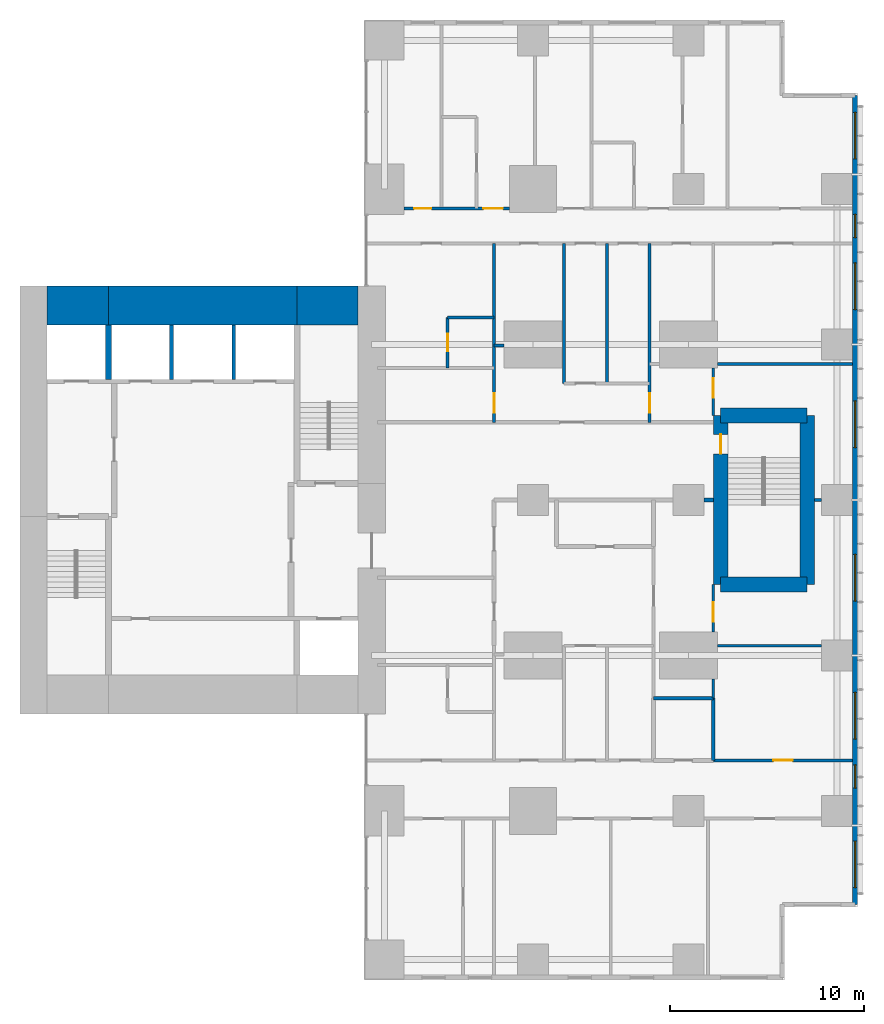
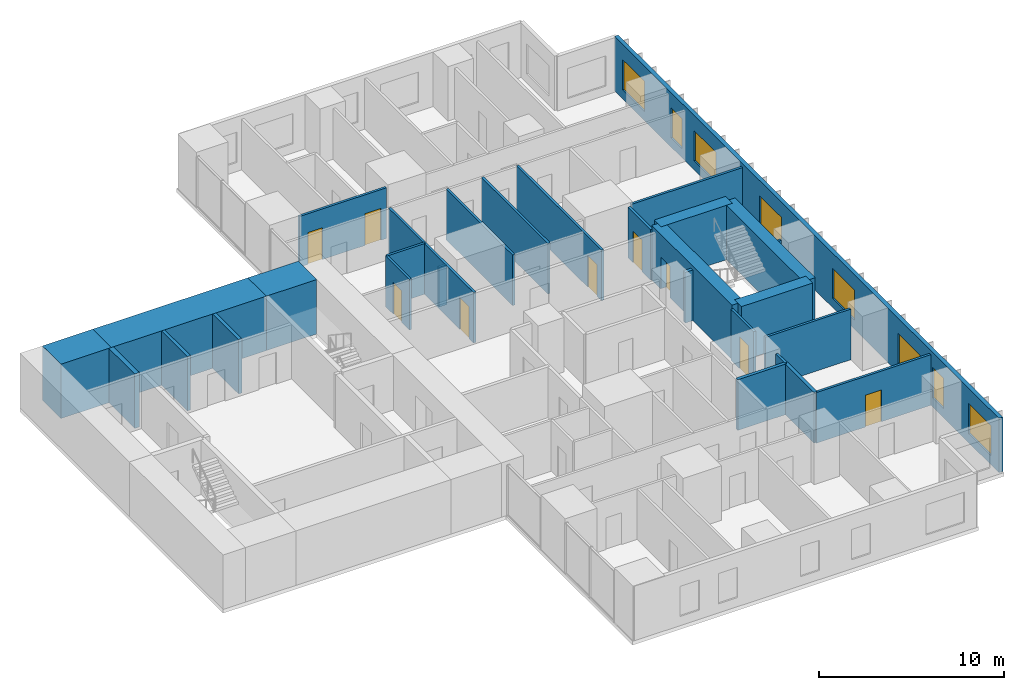
# One storey, part 9 of 12: 29 walls, 9 doors, 8 windows, 17 openings.
"""IFC4 building model written with IfcOpenShell, lengths in metres."""

from ifc_helpers import new_model, si_unit, direction, frame, frame_2d, origin, place, context, subcontext, project, spatial, rectangle, extrude, material, layer, layer_set, type_object, element, fill, save


model = new_model("IFC4")

# Units and contexts
model_context = context("Model", 3, precision=1e-05, world=origin(), true_north=direction((0.0, 1.0)))
body_context = subcontext(model_context, "Body", "Model", "MODEL_VIEW")
ifc_project = project(units=[si_unit("LENGTHUNIT", "METRE"), si_unit("AREAUNIT", "SQUARE_METRE"), si_unit("VOLUMEUNIT", "CUBIC_METRE"), si_unit("PLANEANGLEUNIT", "RADIAN"), si_unit("MASSUNIT", "GRAM", prefix="KILO")], contexts=[model_context])

# Site, building, storey
site_placement = place(None, origin())
site = spatial("IfcSite", under=ifc_project, at=site_placement, CompositionType="ELEMENT")
building_placement = place(site_placement, origin())
building = spatial("IfcBuilding", under=site, at=building_placement, Name="Cleftline Residences", CompositionType="ELEMENT")
storey_placement = place(building_placement, frame((0.0, 0.0, 266.39990234375)))
storey = spatial("IfcBuildingStorey", under=building, at=storey_placement, Name="L70", CompositionType="ELEMENT", Elevation=266.39990234375)

# Walls
ifc_material_1 = material(Name="Concrete B70", Category="concrete")
ifc_layer_1 = layer(ifc_material_1, 2.0)
ifc_layer_set_1 = layer_set([ifc_layer_1], Name="CORE WALL 2000")
wall_type_1 = type_object("IfcWallType", Name="CORE WALL 2000", PredefinedType="SHEAR", material=ifc_layer_set_1)
wall_1_placement = place(storey_placement, frame((25.0, 34.0, 0.0), z_axis=(0.0, 0.0, 1.0), x_axis=(1.0, 0.0, 0.0)))
element("IfcWall", 1, at=wall_1_placement, inside=storey, type_object=wall_type_1, Name="Core wall N1", PredefinedType="SHEAR", context=body_context, shape_type="SweptSolid", body=[
    extrude(rectangle(XDim=3.14990234375, YDim=2.0, at=frame_2d((1.574951171875, 0.0))), origin(), (0.0, 0.0, 1.0), 3.60009765625),
])
wall_2_placement = place(storey_placement, frame((28.14990234375, 34.0, 0.0), z_axis=(0.0, 0.0, 1.0), x_axis=(1.0, 0.0, 0.0)))
element("IfcWall", 2, at=wall_2_placement, inside=storey, type_object=wall_type_1, Name="Core wall N2", PredefinedType="SHEAR", context=body_context, shape_type="SweptSolid", body=[
    extrude(rectangle(XDim=9.7001953125, YDim=2.0, at=frame_2d((4.85009765625, 0.0))), origin(), (0.0, 0.0, 1.0), 3.60009765625),
])
wall_3_placement = place(storey_placement, frame((37.85009765625, 34.0, 0.0), z_axis=(0.0, 0.0, 1.0), x_axis=(1.0, 0.0, 0.0)))
element("IfcWall", 3, at=wall_3_placement, inside=storey, type_object=wall_type_1, Name="Core wall N3", PredefinedType="SHEAR", context=body_context, shape_type="SweptSolid", body=[
    extrude(rectangle(XDim=3.14990234375, YDim=2.0, at=frame_2d((1.574951171875, 0.0))), origin(), (0.0, 0.0, 1.0), 3.60009765625),
])
ifc_material_2 = material(Name="Concrete B70", Category="concrete")
ifc_layer_2 = layer(ifc_material_2, 0.300048828125)
ifc_layer_set_2 = layer_set([ifc_layer_2], Name="CORE WALL 300")
wall_type_2 = type_object("IfcWallType", Name="CORE WALL 300", PredefinedType="SHEAR", material=ifc_layer_set_2)
wall_4_placement = place(storey_placement, frame((28.14990234375, 30.199951171875, 0.0), z_axis=(0.0, 0.0, 1.0), x_axis=(0.0, 1.0, 0.0)))
element("IfcWall", 4, at=wall_4_placement, inside=storey, type_object=wall_type_2, Name="Lift shaft wall", PredefinedType="SHEAR", context=body_context, shape_type="SweptSolid", body=[
    extrude(rectangle(XDim=2.800048828125, YDim=0.300048828125, at=frame_2d((1.39990234375, 0.0))), origin(), (0.0, 0.0, 1.0), 3.60009765625),
])

# Wall, openings, windows
ifc_material_3 = material(Name="Rendered reinforced concrete blockwork", Category="masonry")
ifc_layer_3 = layer(ifc_material_3, 0.25)
ifc_layer_set_3 = layer_set([ifc_layer_3], Name="EXTERNAL WALL 250")
wall_type_3 = type_object("IfcWallType", Name="EXTERNAL WALL 250", PredefinedType="SOLIDWALL", material=ifc_layer_set_3)
wall_5_placement = place(storey_placement, frame((66.574951171875, 3.175048828125, 0.0), z_axis=(0.0, 0.0, 1.0), x_axis=(0.0, 1.0, 0.0)))
wall_5 = element("IfcWall", 5, at=wall_5_placement, inside=storey, type_object=wall_type_3, Name="External wall", PredefinedType="SOLIDWALL", context=body_context, shape_type="SweptSolid", body=[
    extrude(rectangle(XDim=41.64990234375, YDim=0.25, at=frame_2d((20.824951171875, 0.0))), origin(), (0.0, 0.0, 1.0), 3.60009765625),
])
opening_1_placement = place(wall_5_placement, frame((0.875, 0.0, 0.60009765625)))
opening_1 = element("IfcOpeningElement", 6, at=opening_1_placement, cuts=wall_5, Name="Opening W6", PredefinedType="OPENING", context=body_context, shape_type="SweptSolid", body=[
    extrude(rectangle(XDim=2.39990234375, YDim=2.0, at=frame_2d((1.199951171875, 1.0))), frame((0.0, 0.135009765625, 0.0), z_axis=(0.0, -1.0, 0.0), x_axis=(1.0, 0.0, 0.0)), (0.0, 0.0, 1.0), 0.27001953125),
])
opening_2_placement = place(wall_5_placement, frame((6.0, 0.0, 0.60009765625)))
opening_2 = element("IfcOpeningElement", 7, at=opening_2_placement, cuts=wall_5, Name="Opening W8", PredefinedType="OPENING", context=body_context, shape_type="SweptSolid", body=[
    extrude(rectangle(XDim=1.199951171875, YDim=2.0, at=frame_2d((0.60009765625, 1.0))), frame((0.0, 0.135009765625, 0.0), z_axis=(0.0, -1.0, 0.0), x_axis=(1.0, 0.0, 0.0)), (0.0, 0.0, 1.0), 0.27001953125),
])
opening_3_placement = place(wall_5_placement, frame((8.52490234375, 0.0, 0.60009765625)))
opening_3 = element("IfcOpeningElement", 8, at=opening_3_placement, cuts=wall_5, Name="Opening W6", PredefinedType="OPENING", context=body_context, shape_type="SweptSolid", body=[
    extrude(rectangle(XDim=2.39990234375, YDim=2.0, at=frame_2d((1.199951171875, 1.0))), frame((0.0, 0.135009765625, 0.0), z_axis=(0.0, -1.0, 0.0), x_axis=(1.0, 0.0, 0.0)), (0.0, 0.0, 1.0), 0.27001953125),
])
opening_4_placement = place(wall_5_placement, frame((15.625, 0.0, 0.60009765625)))
opening_4 = element("IfcOpeningElement", 9, at=opening_4_placement, cuts=wall_5, Name="Opening W6", PredefinedType="OPENING", context=body_context, shape_type="SweptSolid", body=[
    extrude(rectangle(XDim=2.39990234375, YDim=2.0, at=frame_2d((1.199951171875, 1.0))), frame((0.0, 0.135009765625, 0.0), z_axis=(0.0, -1.0, 0.0), x_axis=(1.0, 0.0, 0.0)), (0.0, 0.0, 1.0), 0.27001953125),
])
opening_5_placement = place(wall_5_placement, frame((23.52490234375, 0.0, 0.60009765625)))
opening_5 = element("IfcOpeningElement", 10, at=opening_5_placement, cuts=wall_5, Name="Opening W6", PredefinedType="OPENING", context=body_context, shape_type="SweptSolid", body=[
    extrude(rectangle(XDim=2.39990234375, YDim=2.0, at=frame_2d((1.199951171875, 1.0))), frame((0.0, 0.135009765625, 0.0), z_axis=(0.0, -1.0, 0.0), x_axis=(1.0, 0.0, 0.0)), (0.0, 0.0, 1.0), 0.27001953125),
])
opening_6_placement = place(wall_5_placement, frame((30.625, 0.0, 0.60009765625)))
opening_6 = element("IfcOpeningElement", 11, at=opening_6_placement, cuts=wall_5, Name="Opening W6", PredefinedType="OPENING", context=body_context, shape_type="SweptSolid", body=[
    extrude(rectangle(XDim=2.39990234375, YDim=2.0, at=frame_2d((1.199951171875, 1.0))), frame((0.0, 0.135009765625, 0.0), z_axis=(0.0, -1.0, 0.0), x_axis=(1.0, 0.0, 0.0)), (0.0, 0.0, 1.0), 0.27001953125),
])
opening_7_placement = place(wall_5_placement, frame((34.324951171875, 0.0, 0.60009765625)))
opening_7 = element("IfcOpeningElement", 12, at=opening_7_placement, cuts=wall_5, Name="Opening W8", PredefinedType="OPENING", context=body_context, shape_type="SweptSolid", body=[
    extrude(rectangle(XDim=1.199951171875, YDim=2.0, at=frame_2d((0.60009765625, 1.0))), frame((0.0, 0.135009765625, 0.0), z_axis=(0.0, -1.0, 0.0), x_axis=(1.0, 0.0, 0.0)), (0.0, 0.0, 1.0), 0.27001953125),
])
opening_8_placement = place(wall_5_placement, frame((38.375, 0.0, 0.60009765625)))
opening_8 = element("IfcOpeningElement", 13, at=opening_8_placement, cuts=wall_5, Name="Opening W6", PredefinedType="OPENING", context=body_context, shape_type="SweptSolid", body=[
    extrude(rectangle(XDim=2.39990234375, YDim=2.0, at=frame_2d((1.199951171875, 1.0))), frame((0.0, 0.135009765625, 0.0), z_axis=(0.0, -1.0, 0.0), x_axis=(1.0, 0.0, 0.0)), (0.0, 0.0, 1.0), 0.27001953125),
])
ifc_material_4 = material(Name="Aluminium frame, clear double glazing", Category="aluminium")
window_type_1 = type_object("IfcWindowType", Name="WINDOW 1200X2000", PartitioningType="DOUBLE_PANEL_VERTICAL", PredefinedType="WINDOW", material=ifc_material_4)
window_1_placement = place(opening_2_placement, origin())
window_1 = element("IfcWindow", 14, at=window_1_placement, inside=storey, type_object=window_type_1, Name="Window", OverallHeight=2.0, OverallWidth=1.199951171875, PartitioningType="SINGLE_PANEL", PredefinedType="WINDOW", context=body_context, shape_type="SweptSolid", body=[
    extrude(rectangle(XDim=1.199951171875, YDim=2.0, at=frame_2d((0.60009765625, 1.0))), frame((0.0, 0.030029296875, 0.0), z_axis=(0.0, -1.0, 0.0), x_axis=(1.0, 0.0, 0.0)), (0.0, 0.0, 1.0), 0.06005859375),
])
fill(opening_2, window_1)
window_2_placement = place(opening_7_placement, origin())
window_2 = element("IfcWindow", 15, at=window_2_placement, inside=storey, type_object=window_type_1, Name="Window", OverallHeight=2.0, OverallWidth=1.199951171875, PartitioningType="SINGLE_PANEL", PredefinedType="WINDOW", context=body_context, shape_type="SweptSolid", body=[
    extrude(rectangle(XDim=1.199951171875, YDim=2.0, at=frame_2d((0.60009765625, 1.0))), frame((0.0, 0.030029296875, 0.0), z_axis=(0.0, -1.0, 0.0), x_axis=(1.0, 0.0, 0.0)), (0.0, 0.0, 1.0), 0.06005859375),
])
fill(opening_7, window_2)
ifc_material_5 = material(Name="Aluminium frame, clear double glazing", Category="aluminium")
window_type_2 = type_object("IfcWindowType", Name="WINDOW 2400X2000", PartitioningType="DOUBLE_PANEL_VERTICAL", PredefinedType="WINDOW", material=ifc_material_5)
window_3_placement = place(opening_1_placement, origin())
window_3 = element("IfcWindow", 16, at=window_3_placement, inside=storey, type_object=window_type_2, Name="Window", OverallHeight=2.0, OverallWidth=2.39990234375, PartitioningType="SINGLE_PANEL", PredefinedType="WINDOW", context=body_context, shape_type="SweptSolid", body=[
    extrude(rectangle(XDim=2.39990234375, YDim=2.0, at=frame_2d((1.199951171875, 1.0))), frame((0.0, 0.030029296875, 0.0), z_axis=(0.0, -1.0, 0.0), x_axis=(1.0, 0.0, 0.0)), (0.0, 0.0, 1.0), 0.06005859375),
])
fill(opening_1, window_3)
window_4_placement = place(opening_3_placement, origin())
window_4 = element("IfcWindow", 17, at=window_4_placement, inside=storey, type_object=window_type_2, Name="Window", OverallHeight=2.0, OverallWidth=2.39990234375, PartitioningType="SINGLE_PANEL", PredefinedType="WINDOW", context=body_context, shape_type="SweptSolid", body=[
    extrude(rectangle(XDim=2.39990234375, YDim=2.0, at=frame_2d((1.199951171875, 1.0))), frame((0.0, 0.030029296875, 0.0), z_axis=(0.0, -1.0, 0.0), x_axis=(1.0, 0.0, 0.0)), (0.0, 0.0, 1.0), 0.06005859375),
])
fill(opening_3, window_4)
window_5_placement = place(opening_4_placement, origin())
window_5 = element("IfcWindow", 18, at=window_5_placement, inside=storey, type_object=window_type_2, Name="Window", OverallHeight=2.0, OverallWidth=2.39990234375, PartitioningType="SINGLE_PANEL", PredefinedType="WINDOW", context=body_context, shape_type="SweptSolid", body=[
    extrude(rectangle(XDim=2.39990234375, YDim=2.0, at=frame_2d((1.199951171875, 1.0))), frame((0.0, 0.030029296875, 0.0), z_axis=(0.0, -1.0, 0.0), x_axis=(1.0, 0.0, 0.0)), (0.0, 0.0, 1.0), 0.06005859375),
])
fill(opening_4, window_5)
window_6_placement = place(opening_5_placement, origin())
window_6 = element("IfcWindow", 19, at=window_6_placement, inside=storey, type_object=window_type_2, Name="Window", OverallHeight=2.0, OverallWidth=2.39990234375, PartitioningType="SINGLE_PANEL", PredefinedType="WINDOW", context=body_context, shape_type="SweptSolid", body=[
    extrude(rectangle(XDim=2.39990234375, YDim=2.0, at=frame_2d((1.199951171875, 1.0))), frame((0.0, 0.030029296875, 0.0), z_axis=(0.0, -1.0, 0.0), x_axis=(1.0, 0.0, 0.0)), (0.0, 0.0, 1.0), 0.06005859375),
])
fill(opening_5, window_6)
window_7_placement = place(opening_6_placement, origin())
window_7 = element("IfcWindow", 20, at=window_7_placement, inside=storey, type_object=window_type_2, Name="Window", OverallHeight=2.0, OverallWidth=2.39990234375, PartitioningType="SINGLE_PANEL", PredefinedType="WINDOW", context=body_context, shape_type="SweptSolid", body=[
    extrude(rectangle(XDim=2.39990234375, YDim=2.0, at=frame_2d((1.199951171875, 1.0))), frame((0.0, 0.030029296875, 0.0), z_axis=(0.0, -1.0, 0.0), x_axis=(1.0, 0.0, 0.0)), (0.0, 0.0, 1.0), 0.06005859375),
])
fill(opening_6, window_7)
window_8_placement = place(opening_8_placement, origin())
window_8 = element("IfcWindow", 21, at=window_8_placement, inside=storey, type_object=window_type_2, Name="Window", OverallHeight=2.0, OverallWidth=2.39990234375, PartitioningType="SINGLE_PANEL", PredefinedType="WINDOW", context=body_context, shape_type="SweptSolid", body=[
    extrude(rectangle(XDim=2.39990234375, YDim=2.0, at=frame_2d((1.199951171875, 1.0))), frame((0.0, 0.030029296875, 0.0), z_axis=(0.0, -1.0, 0.0), x_axis=(1.0, 0.0, 0.0)), (0.0, 0.0, 1.0), 0.06005859375),
])
fill(opening_8, window_8)

# Walls
ifc_material_6 = material(Name="Concrete blockwork, fire rated", Category="masonry")
ifc_layer_4 = layer(ifc_material_6, 0.199951171875)
ifc_layer_set_4 = layer_set([ifc_layer_4], Name="FIRE WALL 200")
wall_type_4 = type_object("IfcWallType", Name="FIRE WALL 200", PredefinedType="PARTITIONING", material=ifc_layer_set_4)
wall_6_placement = place(storey_placement, frame((56.199951171875, 13.800048828125, 0.0), z_axis=(0.0, 0.0, 1.0), x_axis=(1.0, 0.0, 0.0)))
element("IfcWall", 22, at=wall_6_placement, inside=storey, type_object=wall_type_4, Name="Fire separating wall", PredefinedType="PARTITIONING", context=body_context, shape_type="SweptSolid", body=[
    extrude(rectangle(XDim=3.074951171875, YDim=0.199951171875, at=frame_2d((1.53759765625, 0.0))), origin(), (0.0, 0.0, 1.0), 3.35009765625),
])
wall_7_placement = place(storey_placement, frame((58.800048828125, 24.0, 0.0), z_axis=(0.0, 0.0, 1.0), x_axis=(1.0, 0.0, 0.0)))
element("IfcWall", 23, at=wall_7_placement, inside=storey, type_object=wall_type_4, Name="Fire separating wall", PredefinedType="PARTITIONING", context=body_context, shape_type="SweptSolid", body=[
    extrude(rectangle(XDim=0.474853515625, YDim=0.199951171875, at=frame_2d((0.2373046875, 0.0))), origin(), (0.0, 0.0, 1.0), 3.35009765625),
])
wall_8_placement = place(storey_placement, frame((59.27490234375, 10.60009765625, 0.0), z_axis=(0.0, 0.0, 1.0), x_axis=(0.0, 1.0, 0.0)))
element("IfcWall", 24, at=wall_8_placement, inside=storey, type_object=wall_type_4, Name="Fire separating wall", PredefinedType="PARTITIONING", context=body_context, shape_type="SweptSolid", body=[
    extrude(rectangle(XDim=3.199951171875, YDim=0.199951171875, at=frame_2d((1.60009765625, 0.0))), origin(), (0.0, 0.0, 1.0), 3.35009765625),
])

# Wall, opening, door
ifc_material_7 = material(Name="Gypsum board on steel studs", Category="steel")
ifc_layer_5 = layer(ifc_material_7, 0.14990234375)
ifc_layer_set_5 = layer_set([ifc_layer_5], Name="PARTITION 150")
wall_type_5 = type_object("IfcWallType", Name="PARTITION 150", PredefinedType="PARTITIONING", material=ifc_layer_set_5)
wall_9_placement = place(storey_placement, frame((59.27490234375, 10.60009765625, 0.0), z_axis=(0.0, 0.0, 1.0), x_axis=(1.0, 0.0, 0.0)))
wall_9 = element("IfcWall", 25, at=wall_9_placement, inside=storey, type_object=wall_type_5, Name="Partition", PredefinedType="PARTITIONING", context=body_context, shape_type="SweptSolid", body=[
    extrude(rectangle(XDim=7.175048828125, YDim=0.14990234375, at=frame_2d((3.58740234375, 0.0))), origin(), (0.0, 0.0, 1.0), 3.35009765625),
])
opening_9_placement = place(wall_9_placement, frame((3.08740234375, 0.0, 0.0)))
opening_9 = element("IfcOpeningElement", 26, at=opening_9_placement, cuts=wall_9, Name="Opening D2", PredefinedType="OPENING", context=body_context, shape_type="SweptSolid", body=[
    extrude(rectangle(XDim=1.0, YDim=2.10009765625, at=frame_2d((0.5, 1.050048828125))), frame((0.0, 0.0849609375, 0.0), z_axis=(0.0, -1.0, 0.0), x_axis=(1.0, 0.0, 0.0)), (0.0, 0.0, 1.0), 0.169921875),
])
ifc_material_8 = material(Name="Timber veneer on solid core", Category="wood")
door_type_1 = type_object("IfcDoorType", Name="DOOR 1000X2100", OperationType="SINGLE_SWING_LEFT", PredefinedType="DOOR", material=ifc_material_8)
door_1_placement = place(opening_9_placement, origin())
door_1 = element("IfcDoor", 27, at=door_1_placement, inside=storey, type_object=door_type_1, Name="Door to sea-view lounge", OperationType="SINGLE_SWING_LEFT", OverallHeight=2.10009765625, OverallWidth=1.0, PredefinedType="DOOR", context=body_context, shape_type="SweptSolid", body=[
    extrude(rectangle(XDim=1.0, YDim=2.10009765625, at=frame_2d((0.5, 1.050048828125))), frame((0.0, 0.02490234375, 0.0), z_axis=(0.0, -1.0, 0.0), x_axis=(1.0, 0.0, 0.0)), (0.0, 0.0, 1.0), 0.050048828125),
])
fill(opening_9, door_1)

# Walls
wall_10_placement = place(storey_placement, frame((59.5, 16.5, 0.0), z_axis=(0.0, 0.0, 1.0), x_axis=(1.0, 0.0, 0.0)))
element("IfcWall", 28, at=wall_10_placement, inside=storey, type_object=wall_type_5, Name="Partition", PredefinedType="PARTITIONING", context=body_context, shape_type="SweptSolid", body=[
    extrude(rectangle(XDim=5.35009765625, YDim=0.14990234375, at=frame_2d((2.675048828125, 0.0))), origin(), (0.0, 0.0, 1.0), 3.35009765625),
])
wall_11_placement = place(storey_placement, frame((64.47509765625, 24.0, 0.0), z_axis=(0.0, 0.0, 1.0), x_axis=(1.0, 0.0, 0.0)))
element("IfcWall", 29, at=wall_11_placement, inside=storey, type_object=wall_type_5, Name="Partition", PredefinedType="PARTITIONING", context=body_context, shape_type="SweptSolid", body=[
    extrude(rectangle(XDim=0.375, YDim=0.14990234375, at=frame_2d((0.1875, 0.0))), origin(), (0.0, 0.0, 1.0), 3.35009765625),
])
wall_12_placement = place(storey_placement, frame((59.5, 31.0, 0.0), z_axis=(0.0, 0.0, 1.0), x_axis=(1.0, 0.0, 0.0)))
element("IfcWall", 30, at=wall_12_placement, inside=storey, type_object=wall_type_5, Name="Partition", PredefinedType="PARTITIONING", context=body_context, shape_type="SweptSolid", body=[
    extrude(rectangle(XDim=6.949951171875, YDim=0.14990234375, at=frame_2d((3.47509765625, 0.0))), origin(), (0.0, 0.0, 1.0), 3.35009765625),
])
wall_13_placement = place(storey_placement, frame((48.0, 31.949951171875, 0.0), z_axis=(0.0, 0.0, 1.0), x_axis=(1.0, 0.0, 0.0)))
element("IfcWall", 31, at=wall_13_placement, inside=storey, type_object=wall_type_5, Name="Partition", PredefinedType="PARTITIONING", context=body_context, shape_type="SweptSolid", body=[
    extrude(rectangle(XDim=0.5, YDim=0.14990234375, at=frame_2d((0.25, 0.0))), origin(), (0.0, 0.0, 1.0), 2.634033203125),
])
wall_14_placement = place(storey_placement, frame((45.60009765625, 33.39990234375, 0.0), z_axis=(0.0, 0.0, 1.0), x_axis=(1.0, 0.0, 0.0)))
element("IfcWall", 32, at=wall_14_placement, inside=storey, type_object=wall_type_5, Name="Partition", PredefinedType="PARTITIONING", context=body_context, shape_type="SweptSolid", body=[
    extrude(rectangle(XDim=2.39990234375, YDim=0.14990234375, at=frame_2d((1.199951171875, 0.0))), origin(), (0.0, 0.0, 1.0), 3.35009765625),
])

# Wall, openings, doors
wall_15_placement = place(storey_placement, frame((43.35009765625, 39.0, 0.0), z_axis=(0.0, 0.0, 1.0), x_axis=(1.0, 0.0, 0.0)))
wall_15 = element("IfcWall", 33, at=wall_15_placement, inside=storey, type_object=wall_type_5, Name="Partition", PredefinedType="PARTITIONING", context=body_context, shape_type="SweptSolid", body=[
    extrude(rectangle(XDim=5.449951171875, YDim=0.14990234375, at=frame_2d((2.72509765625, 0.0))), origin(), (0.0, 0.0, 1.0), 3.35009765625),
])
opening_10_placement = place(wall_15_placement, frame((4.10009765625, 0.0, 0.0)))
opening_10 = element("IfcOpeningElement", 34, at=opening_10_placement, cuts=wall_15, Name="Opening D2", PredefinedType="OPENING", context=body_context, shape_type="SweptSolid", body=[
    extrude(rectangle(XDim=1.0, YDim=2.10009765625, at=frame_2d((0.5, 1.050048828125))), frame((0.0, 0.0849609375, 0.0), z_axis=(0.0, -1.0, 0.0), x_axis=(1.0, 0.0, 0.0)), (0.0, 0.0, 1.0), 0.169921875),
])
opening_11_placement = place(wall_15_placement, frame((0.52490234375, 0.0, 0.0)))
opening_11 = element("IfcOpeningElement", 35, at=opening_11_placement, cuts=wall_15, Name="Opening D1", PredefinedType="OPENING", context=body_context, shape_type="SweptSolid", body=[
    extrude(rectangle(XDim=0.89990234375, YDim=2.10009765625, at=frame_2d((0.449951171875, 1.050048828125))), frame((0.0, 0.0849609375, 0.0), z_axis=(0.0, -1.0, 0.0), x_axis=(1.0, 0.0, 0.0)), (0.0, 0.0, 1.0), 0.169921875),
])
door_2_placement = place(opening_10_placement, origin())
door_2 = element("IfcDoor", 36, at=door_2_placement, inside=storey, type_object=door_type_1, Name="Door to bedroom 3", OperationType="SINGLE_SWING_LEFT", OverallHeight=2.10009765625, OverallWidth=1.0, PredefinedType="DOOR", context=body_context, shape_type="SweptSolid", body=[
    extrude(rectangle(XDim=1.0, YDim=2.10009765625, at=frame_2d((0.5, 1.050048828125))), frame((0.0, 0.02490234375, 0.0), z_axis=(0.0, -1.0, 0.0), x_axis=(1.0, 0.0, 0.0)), (0.0, 0.0, 1.0), 0.050048828125),
])
fill(opening_10, door_2)
ifc_material_9 = material(Name="Timber veneer on solid core", Category="wood")
door_type_2 = type_object("IfcDoorType", Name="DOOR 900X2100", OperationType="SINGLE_SWING_LEFT", PredefinedType="DOOR", material=ifc_material_9)
door_3_placement = place(opening_11_placement, origin())
door_3 = element("IfcDoor", 37, at=door_3_placement, inside=storey, type_object=door_type_2, Name="Door to dressing room", OperationType="SINGLE_SWING_RIGHT", OverallHeight=2.10009765625, OverallWidth=0.89990234375, PredefinedType="DOOR", context=body_context, shape_type="SweptSolid", body=[
    extrude(rectangle(XDim=0.89990234375, YDim=2.10009765625, at=frame_2d((0.449951171875, 1.050048828125))), frame((0.0, 0.02490234375, 0.0), z_axis=(0.0, -1.0, 0.0), x_axis=(1.0, 0.0, 0.0)), (0.0, 0.0, 1.0), 0.050048828125),
])
fill(opening_11, door_3)

# Wall, opening, door
wall_16_placement = place(storey_placement, frame((45.60009765625, 30.800048828125, 0.0), z_axis=(0.0, 0.0, 1.0), x_axis=(0.0, 1.0, 0.0)))
wall_16 = element("IfcWall", 38, at=wall_16_placement, inside=storey, type_object=wall_type_5, Name="Partition", PredefinedType="PARTITIONING", context=body_context, shape_type="SweptSolid", body=[
    extrude(rectangle(XDim=2.599853515625, YDim=0.14990234375, at=frame_2d((1.2998046875, 0.0))), origin(), (0.0, 0.0, 1.0), 3.35009765625),
])
opening_12_placement = place(wall_16_placement, frame((0.85009765625, 0.0, 0.0)))
opening_12 = element("IfcOpeningElement", 39, at=opening_12_placement, cuts=wall_16, Name="Opening D1", PredefinedType="OPENING", context=body_context, shape_type="SweptSolid", body=[
    extrude(rectangle(XDim=0.89990234375, YDim=2.10009765625, at=frame_2d((0.449951171875, 1.050048828125))), frame((0.0, 0.0849609375, 0.0), z_axis=(0.0, -1.0, 0.0), x_axis=(1.0, 0.0, 0.0)), (0.0, 0.0, 1.0), 0.169921875),
])
door_4_placement = place(opening_12_placement, origin())
door_4 = element("IfcDoor", 40, at=door_4_placement, inside=storey, type_object=door_type_2, Name="Door to en-suite bathroom 4", OperationType="SINGLE_SWING_LEFT", OverallHeight=2.10009765625, OverallWidth=0.89990234375, PredefinedType="DOOR", context=body_context, shape_type="SweptSolid", body=[
    extrude(rectangle(XDim=0.89990234375, YDim=2.10009765625, at=frame_2d((0.449951171875, 1.050048828125))), frame((0.0, 0.02490234375, 0.0), z_axis=(0.0, -1.0, 0.0), x_axis=(1.0, 0.0, 0.0)), (0.0, 0.0, 1.0), 0.050048828125),
])
fill(opening_12, door_4)

wall_17_placement = place(storey_placement, frame((48.0, 28.0, 0.0), z_axis=(0.0, 0.0, 1.0), x_axis=(0.0, 1.0, 0.0)))
wall_17 = element("IfcWall", 41, at=wall_17_placement, inside=storey, type_object=wall_type_5, Name="Partition", PredefinedType="PARTITIONING", context=body_context, shape_type="SweptSolid", body=[
    extrude(rectangle(XDim=9.199951171875, YDim=0.14990234375, at=frame_2d((4.60009765625, 0.0))), origin(), (0.0, 0.0, 1.0), 3.35009765625),
])
opening_13_placement = place(wall_17_placement, frame((0.5, 0.0, 0.0)))
opening_13 = element("IfcOpeningElement", 42, at=opening_13_placement, cuts=wall_17, Name="Opening D2", PredefinedType="OPENING", context=body_context, shape_type="SweptSolid", body=[
    extrude(rectangle(XDim=1.0, YDim=2.10009765625, at=frame_2d((0.5, 1.050048828125))), frame((0.0, 0.0849609375, 0.0), z_axis=(0.0, -1.0, 0.0), x_axis=(1.0, 0.0, 0.0)), (0.0, 0.0, 1.0), 0.169921875),
])
door_5_placement = place(opening_13_placement, origin())
door_5 = element("IfcDoor", 43, at=door_5_placement, inside=storey, type_object=door_type_1, Name="Door to morning kitchen", OperationType="SINGLE_SWING_RIGHT", OverallHeight=2.10009765625, OverallWidth=1.0, PredefinedType="DOOR", context=body_context, shape_type="SweptSolid", body=[
    extrude(rectangle(XDim=1.0, YDim=2.10009765625, at=frame_2d((0.5, 1.050048828125))), frame((0.0, 0.02490234375, 0.0), z_axis=(0.0, -1.0, 0.0), x_axis=(1.0, 0.0, 0.0)), (0.0, 0.0, 1.0), 0.050048828125),
])
fill(opening_13, door_5)

# Walls
for number, where, z_axis, x_axis, name in (
    (44, (51.60009765625, 30.0, 0.0), (0.0, 0.0, 1.0), (0.0, 1.0, 0.0), "Partition"),
    (45, (53.800048828125, 30.0, 0.0), (0.0, 0.0, 1.0), (0.0, 1.0, 0.0), "Partition"),
):
    element("IfcWall", number, at=place(storey_placement, frame(where, z_axis=z_axis, x_axis=x_axis)), inside=storey, type_object=wall_type_5, Name=name, PredefinedType="PARTITIONING", context=body_context, shape_type="SweptSolid", body=[
        extrude(rectangle(XDim=7.199951171875, YDim=0.14990234375, at=frame_2d((3.60009765625, 0.0))), origin(), (0.0, 0.0, 1.0), 3.35009765625),
    ])

# Wall, opening, door
wall_18_placement = place(storey_placement, frame((56.0, 28.0, 0.0), z_axis=(0.0, 0.0, 1.0), x_axis=(0.0, 1.0, 0.0)))
wall_18 = element("IfcWall", 46, at=wall_18_placement, inside=storey, type_object=wall_type_5, Name="Partition", PredefinedType="PARTITIONING", context=body_context, shape_type="SweptSolid", body=[
    extrude(rectangle(XDim=9.199951171875, YDim=0.14990234375, at=frame_2d((4.60009765625, 0.0))), origin(), (0.0, 0.0, 1.0), 3.35009765625),
])
opening_14_placement = place(wall_18_placement, frame((0.5, 0.0, 0.0)))
opening_14 = element("IfcOpeningElement", 47, at=opening_14_placement, cuts=wall_18, Name="Opening D2F30", PredefinedType="OPENING", context=body_context, shape_type="SweptSolid", body=[
    extrude(rectangle(XDim=1.0, YDim=2.10009765625, at=frame_2d((0.5, 1.050048828125))), frame((0.0, 0.0849609375, 0.0), z_axis=(0.0, -1.0, 0.0), x_axis=(1.0, 0.0, 0.0)), (0.0, 0.0, 1.0), 0.169921875),
])
ifc_material_10 = material(Name="Timber veneer on solid core", Category="wood")
door_type_3 = type_object("IfcDoorType", Name="DOOR 1000X2100 EI 30", OperationType="SINGLE_SWING_LEFT", PredefinedType="DOOR", material=ifc_material_10)
door_6_placement = place(opening_14_placement, origin())
door_6 = element("IfcDoor", 48, at=door_6_placement, inside=storey, type_object=door_type_3, Name="Door to residence lobby (service)", OperationType="SINGLE_SWING_RIGHT", OverallHeight=2.10009765625, OverallWidth=1.0, PredefinedType="DOOR", context=body_context, shape_type="SweptSolid", body=[
    extrude(rectangle(XDim=1.0, YDim=2.10009765625, at=frame_2d((0.5, 1.050048828125))), frame((0.0, 0.02490234375, 0.0), z_axis=(0.0, -1.0, 0.0), x_axis=(1.0, 0.0, 0.0)), (0.0, 0.0, 1.0), 0.050048828125),
])
fill(opening_14, door_6)

# Wall
wall_19_placement = place(storey_placement, frame((59.27490234375, 13.800048828125, 0.0), z_axis=(0.0, 0.0, 1.0), x_axis=(0.0, 1.0, 0.0)))
element("IfcWall", 49, at=wall_19_placement, inside=storey, type_object=wall_type_5, Name="Partition", PredefinedType="PARTITIONING", context=body_context, shape_type="SweptSolid", body=[
    extrude(rectangle(XDim=1.0, YDim=0.14990234375, at=frame_2d((0.5, 0.0))), origin(), (0.0, 0.0, 1.0), 3.35009765625),
])

# Wall, opening, door
wall_20_placement = place(storey_placement, frame((59.27490234375, 17.199951171875, 0.0), z_axis=(0.0, 0.0, 1.0), x_axis=(0.0, 1.0, 0.0)))
wall_20 = element("IfcWall", 50, at=wall_20_placement, inside=storey, type_object=wall_type_5, Name="Partition", PredefinedType="PARTITIONING", context=body_context, shape_type="SweptSolid", body=[
    extrude(rectangle(XDim=2.449951171875, YDim=0.14990234375, at=frame_2d((1.22509765625, 0.0))), origin(), (0.0, 0.0, 1.0), 3.35009765625),
])
opening_15_placement = place(wall_20_placement, frame((0.53759765625, 0.0, 0.0)))
opening_15 = element("IfcOpeningElement", 51, at=opening_15_placement, cuts=wall_20, Name="Opening D2", PredefinedType="OPENING", context=body_context, shape_type="SweptSolid", body=[
    extrude(rectangle(XDim=1.0, YDim=2.10009765625, at=frame_2d((0.5, 1.050048828125))), frame((0.0, 0.0849609375, 0.0), z_axis=(0.0, -1.0, 0.0), x_axis=(1.0, 0.0, 0.0)), (0.0, 0.0, 1.0), 0.169921875),
])
door_7_placement = place(opening_15_placement, origin())
door_7 = element("IfcDoor", 52, at=door_7_placement, inside=storey, type_object=door_type_1, Name="Door to library", OperationType="SINGLE_SWING_RIGHT", OverallHeight=2.10009765625, OverallWidth=1.0, PredefinedType="DOOR", context=body_context, shape_type="SweptSolid", body=[
    extrude(rectangle(XDim=1.0, YDim=2.10009765625, at=frame_2d((0.5, 1.050048828125))), frame((0.0, 0.02490234375, 0.0), z_axis=(0.0, -1.0, 0.0), x_axis=(1.0, 0.0, 0.0)), (0.0, 0.0, 1.0), 0.050048828125),
])
fill(opening_15, door_7)

wall_21_placement = place(storey_placement, frame((59.27490234375, 28.35009765625, 0.0), z_axis=(0.0, 0.0, 1.0), x_axis=(0.0, 1.0, 0.0)))
wall_21 = element("IfcWall", 53, at=wall_21_placement, inside=storey, type_object=wall_type_5, Name="Partition", PredefinedType="PARTITIONING", context=body_context, shape_type="SweptSolid", body=[
    extrude(rectangle(XDim=2.449951171875, YDim=0.14990234375, at=frame_2d((1.22509765625, 0.0))), origin(), (0.0, 0.0, 1.0), 3.35009765625),
])
opening_16_placement = place(wall_21_placement, frame((0.91259765625, 0.0, 0.0)))
opening_16 = element("IfcOpeningElement", 54, at=opening_16_placement, cuts=wall_21, Name="Opening D2", PredefinedType="OPENING", context=body_context, shape_type="SweptSolid", body=[
    extrude(rectangle(XDim=1.0, YDim=2.10009765625, at=frame_2d((0.5, 1.050048828125))), frame((0.0, 0.0849609375, 0.0), z_axis=(0.0, -1.0, 0.0), x_axis=(1.0, 0.0, 0.0)), (0.0, 0.0, 1.0), 0.169921875),
])
door_8_placement = place(opening_16_placement, origin())
door_8 = element("IfcDoor", 55, at=door_8_placement, inside=storey, type_object=door_type_1, Name="Door to altar room", OperationType="SINGLE_SWING_LEFT", OverallHeight=2.10009765625, OverallWidth=1.0, PredefinedType="DOOR", context=body_context, shape_type="SweptSolid", body=[
    extrude(rectangle(XDim=1.0, YDim=2.10009765625, at=frame_2d((0.5, 1.050048828125))), frame((0.0, 0.02490234375, 0.0), z_axis=(0.0, -1.0, 0.0), x_axis=(1.0, 0.0, 0.0)), (0.0, 0.0, 1.0), 0.050048828125),
])
fill(opening_16, door_8)

# Walls
ifc_material_11 = material(Name="Concrete blockwork, fire rated", Category="masonry")
ifc_layer_6 = layer(ifc_material_11, 0.199951171875)
ifc_layer_set_6 = layer_set([ifc_layer_6], Name="SHAFT WALL 200")
wall_type_6 = type_object("IfcWallType", Name="SHAFT WALL 200", PredefinedType="PARTITIONING", material=ifc_layer_set_6)
for number, where, z_axis, x_axis, name in (
    (56, (31.39990234375, 30.199951171875, 0.0), (0.0, 0.0, 1.0), (0.0, 1.0, 0.0), "Lift shaft wall"),
    (57, (34.60009765625, 30.199951171875, 0.0), (0.0, 0.0, 1.0), (0.0, 1.0, 0.0), "Lift shaft wall"),
):
    element("IfcWall", number, at=place(storey_placement, frame(where, z_axis=z_axis, x_axis=x_axis)), inside=storey, type_object=wall_type_6, Name=name, PredefinedType="PARTITIONING", context=body_context, shape_type="SweptSolid", body=[
        extrude(rectangle(XDim=2.800048828125, YDim=0.199951171875, at=frame_2d((1.39990234375, 0.0))), origin(), (0.0, 0.0, 1.0), 3.60009765625),
    ])
ifc_material_12 = material(Name="Concrete B70", Category="concrete")
ifc_layer_7 = layer(ifc_material_12, 0.75)
ifc_layer_set_7 = layer_set([ifc_layer_7], Name="SHEAR WALL 750")
wall_type_7 = type_object("IfcWallType", Name="SHEAR WALL 750", PredefinedType="SHEAR", material=ifc_layer_set_7)
wall_22_placement = place(storey_placement, frame((59.64990234375, 19.64990234375, 0.0), z_axis=(0.0, 0.0, 1.0), x_axis=(1.0, 0.0, 0.0)))
element("IfcWall", 58, at=wall_22_placement, inside=storey, type_object=wall_type_7, Name="Wing shear wall", PredefinedType="SHEAR", context=body_context, shape_type="SweptSolid", body=[
    extrude(rectangle(XDim=4.4501953125, YDim=0.75, at=frame_2d((2.22509765625, 0.0))), origin(), (0.0, 0.0, 1.0), 3.60009765625),
])
wall_23_placement = place(storey_placement, frame((64.10009765625, 19.64990234375, 0.0), z_axis=(0.0, 0.0, 1.0), x_axis=(0.0, 1.0, 0.0)))
element("IfcWall", 59, at=wall_23_placement, inside=storey, type_object=wall_type_7, Name="Wing shear wall", PredefinedType="SHEAR", context=body_context, shape_type="SweptSolid", body=[
    extrude(rectangle(XDim=8.7001953125, YDim=0.75, at=frame_2d((4.35009765625, 0.0))), origin(), (0.0, 0.0, 1.0), 3.60009765625),
])
wall_24_placement = place(storey_placement, frame((64.10009765625, 28.35009765625, 0.0), z_axis=(0.0, 0.0, 1.0), x_axis=(-1.0, 0.0, 0.0)))
element("IfcWall", 60, at=wall_24_placement, inside=storey, type_object=wall_type_7, Name="Wing shear wall", PredefinedType="SHEAR", context=body_context, shape_type="SweptSolid", body=[
    extrude(rectangle(XDim=4.4501953125, YDim=0.75, at=frame_2d((2.22509765625, 0.0))), origin(), (0.0, 0.0, 1.0), 3.60009765625),
])

# Wall, opening, door
wall_25_placement = place(storey_placement, frame((59.64990234375, 28.35009765625, 0.0), z_axis=(0.0, 0.0, 1.0), x_axis=(0.0, -1.0, 0.0)))
wall_25 = element("IfcWall", 61, at=wall_25_placement, inside=storey, type_object=wall_type_7, Name="Wing shear wall", PredefinedType="SHEAR", context=body_context, shape_type="SweptSolid", body=[
    extrude(rectangle(XDim=8.7001953125, YDim=0.75, at=frame_2d((4.35009765625, 0.0))), origin(), (0.0, 0.0, 1.0), 3.60009765625),
])
opening_17_placement = place(wall_25_placement, frame((0.97509765625, 0.0, 0.0)))
opening_17 = element("IfcOpeningElement", 62, at=opening_17_placement, cuts=wall_25, Name="Opening D5", PredefinedType="OPENING", context=body_context, shape_type="SweptSolid", body=[
    extrude(rectangle(XDim=1.0, YDim=2.10009765625, at=frame_2d((0.5, 1.050048828125))), frame((0.0, 0.385009765625, 0.0), z_axis=(0.0, -1.0, 0.0), x_axis=(1.0, 0.0, 0.0)), (0.0, 0.0, 1.0), 0.77001953125),
])
ifc_material_13 = material(Name="Steel", Category="steel")
door_type_4 = type_object("IfcDoorType", Name="STAIR DOOR 1000X2100", OperationType="SINGLE_SWING_LEFT", PredefinedType="DOOR", material=ifc_material_13)
door_9_placement = place(opening_17_placement, origin())
door_9 = element("IfcDoor", 63, at=door_9_placement, inside=storey, type_object=door_type_4, Name="Stair E door", OperationType="SINGLE_SWING_RIGHT", OverallHeight=2.10009765625, OverallWidth=1.0, PredefinedType="DOOR", context=body_context, shape_type="SweptSolid", body=[
    extrude(rectangle(XDim=1.0, YDim=2.10009765625, at=frame_2d((0.5, 1.050048828125))), frame((0.0, 0.02490234375, 0.0), z_axis=(0.0, -1.0, 0.0), x_axis=(1.0, 0.0, 0.0)), (0.0, 0.0, 1.0), 0.050048828125),
])
fill(opening_17, door_9)

save(model, "model.ifc")
